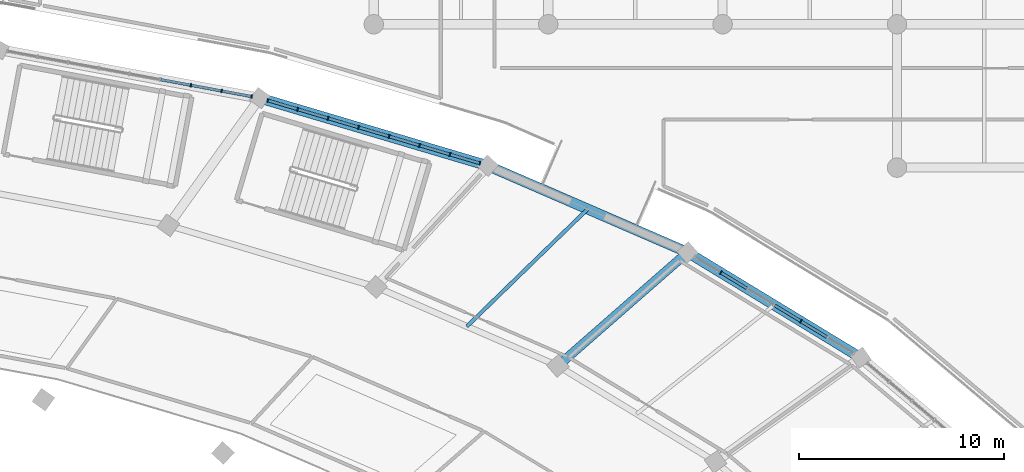
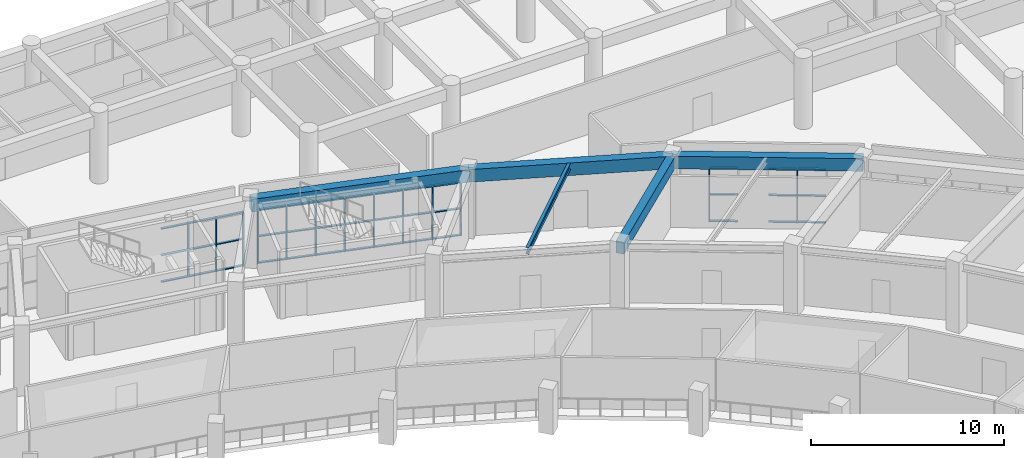
# One storey, part 64 of 141: 52 members, 5 beams, 3 elements without a shape of their own.
"""IFC4 building model written with IfcOpenShell, lengths in metres."""

from ifc_helpers import new_model, si_unit, direction, frame, origin, origin_2d, place, context, subcontext, project, spatial, rectangle, i_section, extrude, material, layer, layer_set, material_profile, profile_set, type_object, element, aggregate, save


model = new_model("IFC4")

# Units and contexts
model_context = context("Model", 3, precision=1e-05, world=origin(), true_north=direction((0.0, 1.0)))
body_context = subcontext(model_context, "Body", "Model", "MODEL_VIEW")
ifc_project = project(units=[si_unit("LENGTHUNIT", "METRE"), si_unit("AREAUNIT", "SQUARE_METRE"), si_unit("VOLUMEUNIT", "CUBIC_METRE"), si_unit("PLANEANGLEUNIT", "RADIAN"), si_unit("MASSUNIT", "GRAM", prefix="KILO")], contexts=[model_context])

# Site, building, storey
site_placement = place(None, origin())
site = spatial("IfcSite", under=ifc_project, at=site_placement, CompositionType="ELEMENT")
building_placement = place(site_placement, origin())
building = spatial("IfcBuilding", under=site, at=building_placement, Name="Mphavela Belvedere Stadium", CompositionType="ELEMENT")
storey_placement = place(building_placement, frame((0.0, 0.0, 14.699951171875)))
storey = spatial("IfcBuildingStorey", under=building, at=storey_placement, Name="L03", CompositionType="ELEMENT", Elevation=14.699951171875)

# Beams
ifc_material_1 = material(Name="Steel S355", Category="steel")
ifc_material_profile_1 = material_profile(ifc_material_1, i_section(OverallWidth=0.179931640625, OverallDepth=0.39990234375, WebThickness=0.008544921875, FlangeThickness=0.013427734375, at=origin_2d()), Name="IPE 400")
ifc_profile_set_1 = profile_set([ifc_material_profile_1], Name="Steel S355")
beam_type_1 = type_object("IfcBeamType", Name="BM-JOIST-IPE400", PredefinedType="JOIST", material=ifc_profile_set_1)
beam_1_placement = place(storey_placement, frame((174.918212890625, 145.242431640625, 4.050048828125), z_axis=(0.717067022089, 0.697004222249, 0.0), x_axis=(-0.697004222249, 0.717067022089, 0.0)))
element("IfcBeam", 1, at=beam_1_placement, inside=storey, type_object=beam_type_1, Name="Concourse floor joist L03-08", PredefinedType="JOIST", context=body_context, shape_type="SweptSolid", body=[
    extrude(i_section(OverallWidth=0.179931640625, OverallDepth=0.39990234375, WebThickness=0.008544921875, FlangeThickness=0.013427734375, at=origin_2d()), origin(), (0.0, 0.0, 1.0), 8.22607421875),
])
ifc_material_2 = material(Name="Concrete C40/50", Category="concrete")
ifc_material_profile_2 = material_profile(ifc_material_2, rectangle(XDim=0.449951171875, YDim=0.75, at=origin_2d()), Name="RC 450x750")
ifc_profile_set_2 = profile_set([ifc_material_profile_2], Name="Concrete C40/50")
beam_type_2 = type_object("IfcBeamType", Name="BM-RC450x750", PredefinedType="BEAM", material=ifc_profile_set_2)
beam_2_placement = place(storey_placement, frame((179.360107421875, 143.31689453125, 3.875), z_axis=(0.752589268993, 0.658490236978, 0.0), x_axis=(-0.658490236978, 0.752589268993, 0.0)))
element("IfcBeam", 2, at=beam_2_placement, inside=storey, type_object=beam_type_2, Name="Radial concourse girder L03 R3R4-08", PredefinedType="BEAM", context=body_context, shape_type="SweptSolid", body=[
    extrude(rectangle(XDim=0.449951171875, YDim=0.75, at=origin_2d()), origin(), (0.0, 0.0, 1.0), 8.419189453125),
])
ifc_material_3 = material(Name="Concrete C40/50", Category="concrete")
ifc_material_profile_3 = material_profile(ifc_material_3, rectangle(XDim=0.5, YDim=0.800048828125, at=origin_2d()), Name="RC 500x800")
ifc_profile_set_3 = profile_set([ifc_material_profile_3], Name="Concrete C40/50")
beam_type_3 = type_object("IfcBeamType", Name="BM-SPANDREL-800", PredefinedType="SPANDREL", material=ifc_profile_set_3)
beam_3_placement = place(storey_placement, frame((194.155517578125, 143.714599609375, 3.85009765625), z_axis=(-0.854326607994, 0.51973651678, 0.0), x_axis=(-0.51973651678, -0.854326607994, 0.0)))
element("IfcBeam", 3, at=beam_3_placement, inside=storey, type_object=beam_type_3, Name="Circumferential girder L03 R4-07", PredefinedType="SPANDREL", context=body_context, shape_type="SweptSolid", body=[
    extrude(rectangle(XDim=0.5, YDim=0.800048828125, at=origin_2d()), origin(), (0.0, 0.0, 1.0), 9.901611328125),
])
beam_4_placement = place(storey_placement, frame((185.6962890625, 148.86083984375, 3.85009765625), z_axis=(-0.91749867224, 0.397738842004, 0.0), x_axis=(-0.397738842004, -0.91749867224, 0.0)))
element("IfcBeam", 4, at=beam_4_placement, inside=storey, type_object=beam_type_3, Name="Circumferential girder L03 R4-08", PredefinedType="SPANDREL", context=body_context, shape_type="SweptSolid", body=[
    extrude(rectangle(XDim=0.5, YDim=0.800048828125, at=origin_2d()), origin(), (0.0, 0.0, 1.0), 10.63623046875),
])
beam_5_placement = place(storey_placement, frame((175.9375, 153.09130859375, 3.85009765625), z_axis=(-0.958656362639, 0.284566298727, 0.0), x_axis=(-0.284566298727, -0.958656362639, 0.0)))
element("IfcBeam", 5, at=beam_5_placement, inside=storey, type_object=beam_type_3, Name="Circumferential girder L03 R4-09", PredefinedType="SPANDREL", context=body_context, shape_type="SweptSolid", body=[
    extrude(rectangle(XDim=0.5, YDim=0.800048828125, at=origin_2d()), origin(), (0.0, 0.0, 1.0), 11.616455078125),
])

# Curtain wall, members
ifc_material_4 = material(Name="Anodised bronze unitised curtain wall framing")
ifc_layer_1 = layer(ifc_material_4, 0.205078125)
ifc_layer_set_1 = layer_set([ifc_layer_1], Name="Anodised bronze unitised curtain wall framing")
curtain_wall_type_1 = type_object("IfcCurtainWallType", Name="CW-UNIT-06", PredefinedType="USERDEFINED", material=ifc_layer_set_1)
curtain_wall_1_placement = place(storey_placement, origin())
curtain_wall_1 = element("IfcCurtainWall", 6, at=curtain_wall_1_placement, inside=storey, type_object=curtain_wall_type_1, Name="Belvedere colonnade curtain wall L03-07", ObjectType="UNITISED CURTAIN WALL", PredefinedType="USERDEFINED")
ifc_material_5 = material(Name="Anodised bronze extruded aluminium", Category="aluminium")
ifc_material_profile_4 = material_profile(ifc_material_5, rectangle(XDim=0.179931640625, YDim=0.06494140625, at=origin_2d()), Name="CW-MUL 180x65")
ifc_profile_set_4 = profile_set([ifc_material_profile_4], Name="Anodised bronze extruded aluminium")
member_type_1 = type_object("IfcMemberType", Name="CWM-180x65", PredefinedType="MULLION", material=ifc_profile_set_4)
member_1_placement = place(storey_placement, frame((191.2294921875, 145.49462890625, 0.0), z_axis=(0.0, 0.0, 1.0), x_axis=(-0.519738342169, -0.8543254975, 0.0)))
member_1 = element("IfcMember", 7, at=member_1_placement, type_object=member_type_1, Name="CW-06 mullion 3", PredefinedType="MULLION", context=body_context, shape_type="SweptSolid", body=[
    extrude(rectangle(XDim=0.179931640625, YDim=0.06494140625, at=origin_2d()), origin(), (0.0, 0.0, 1.0), 3.420166015625),
])
member_2_placement = place(storey_placement, frame((187.318603515625, 147.873779296875, 0.0), z_axis=(0.0, 0.0, 1.0), x_axis=(-0.519738342169, -0.8543254975, 0.0)))
member_2 = element("IfcMember", 8, at=member_2_placement, type_object=member_type_1, Name="CW-06 mullion 6", PredefinedType="MULLION", context=body_context, shape_type="SweptSolid", body=[
    extrude(rectangle(XDim=0.179931640625, YDim=0.06494140625, at=origin_2d()), origin(), (0.0, 0.0, 1.0), 3.420166015625),
])

ifc_material_6 = material(Name="Anodised bronze unitised curtain wall framing")
ifc_layer_2 = layer(ifc_material_6, 0.179931640625)
ifc_layer_set_2 = layer_set([ifc_layer_2], Name="Anodised bronze unitised curtain wall framing")
curtain_wall_type_2 = type_object("IfcCurtainWallType", Name="CW-UNIT-01", PredefinedType="USERDEFINED", material=ifc_layer_set_2)
curtain_wall_2_placement = place(storey_placement, origin())
curtain_wall_2 = element("IfcCurtainWall", 9, at=curtain_wall_2_placement, inside=storey, type_object=curtain_wall_type_2, Name="Belvedere colonnade curtain wall L03-09", ObjectType="UNITISED CURTAIN WALL", PredefinedType="USERDEFINED")
member_3_placement = place(storey_placement, frame((175.548828125, 153.20654296875, 0.0), z_axis=(0.0, 0.0, 1.0), x_axis=(-0.284565000591, -0.958656747975, 0.0)))
member_3 = element("IfcMember", 10, at=member_3_placement, type_object=member_type_1, Name="CW-01 mullion 1", PredefinedType="MULLION", context=body_context, shape_type="SweptSolid", body=[
    extrude(rectangle(XDim=0.179931640625, YDim=0.06494140625, at=origin_2d()), origin(), (0.0, 0.0, 1.0), 3.420166015625),
])
member_4_placement = place(storey_placement, frame((174.09130859375, 153.639404296875, 0.0), z_axis=(0.0, 0.0, 1.0), x_axis=(-0.284565000591, -0.958656747975, 0.0)))
member_4 = element("IfcMember", 11, at=member_4_placement, type_object=member_type_1, Name="CW-01 mullion 2", PredefinedType="MULLION", context=body_context, shape_type="SweptSolid", body=[
    extrude(rectangle(XDim=0.179931640625, YDim=0.06494140625, at=origin_2d()), origin(), (0.0, 0.0, 1.0), 3.420166015625),
])
member_5_placement = place(storey_placement, frame((172.6025390625, 154.081298828125, 0.0), z_axis=(0.0, 0.0, 1.0), x_axis=(-0.284565000591, -0.958656747975, 0.0)))
member_5 = element("IfcMember", 12, at=member_5_placement, type_object=member_type_1, Name="CW-01 mullion 3", PredefinedType="MULLION", context=body_context, shape_type="SweptSolid", body=[
    extrude(rectangle(XDim=0.179931640625, YDim=0.06494140625, at=origin_2d()), origin(), (0.0, 0.0, 1.0), 3.420166015625),
])
member_6_placement = place(storey_placement, frame((171.11376953125, 154.523193359375, 0.0), z_axis=(0.0, 0.0, 1.0), x_axis=(-0.284565000591, -0.958656747975, 0.0)))
member_6 = element("IfcMember", 13, at=member_6_placement, type_object=member_type_1, Name="CW-01 mullion 4", PredefinedType="MULLION", context=body_context, shape_type="SweptSolid", body=[
    extrude(rectangle(XDim=0.179931640625, YDim=0.06494140625, at=origin_2d()), origin(), (0.0, 0.0, 1.0), 3.420166015625),
])
member_7_placement = place(storey_placement, frame((169.625, 154.965087890625, 0.0), z_axis=(0.0, 0.0, 1.0), x_axis=(-0.284565000591, -0.958656747975, 0.0)))
member_7 = element("IfcMember", 14, at=member_7_placement, type_object=member_type_1, Name="CW-01 mullion 5", PredefinedType="MULLION", context=body_context, shape_type="SweptSolid", body=[
    extrude(rectangle(XDim=0.179931640625, YDim=0.06494140625, at=origin_2d()), origin(), (0.0, 0.0, 1.0), 3.420166015625),
])
member_8_placement = place(storey_placement, frame((168.13623046875, 155.406982421875, 0.0), z_axis=(0.0, 0.0, 1.0), x_axis=(-0.284565000591, -0.958656747975, 0.0)))
member_8 = element("IfcMember", 15, at=member_8_placement, type_object=member_type_1, Name="CW-01 mullion 6", PredefinedType="MULLION", context=body_context, shape_type="SweptSolid", body=[
    extrude(rectangle(XDim=0.179931640625, YDim=0.06494140625, at=origin_2d()), origin(), (0.0, 0.0, 1.0), 3.420166015625),
])
member_9_placement = place(storey_placement, frame((166.6474609375, 155.848876953125, 0.0), z_axis=(0.0, 0.0, 1.0), x_axis=(-0.284565000591, -0.958656747975, 0.0)))
member_9 = element("IfcMember", 16, at=member_9_placement, type_object=member_type_1, Name="CW-01 mullion 7", PredefinedType="MULLION", context=body_context, shape_type="SweptSolid", body=[
    extrude(rectangle(XDim=0.179931640625, YDim=0.06494140625, at=origin_2d()), origin(), (0.0, 0.0, 1.0), 3.420166015625),
])
member_10_placement = place(storey_placement, frame((165.18994140625, 156.281494140625, 0.0), z_axis=(0.0, 0.0, 1.0), x_axis=(-0.284565000591, -0.958656747975, 0.0)))
member_10 = element("IfcMember", 17, at=member_10_placement, type_object=member_type_1, Name="CW-01 mullion 8", PredefinedType="MULLION", context=body_context, shape_type="SweptSolid", body=[
    extrude(rectangle(XDim=0.179931640625, YDim=0.06494140625, at=origin_2d()), origin(), (0.0, 0.0, 1.0), 3.420166015625),
])

ifc_material_7 = material(Name="Anodised bronze unitised curtain wall framing")
ifc_layer_3 = layer(ifc_material_7, 0.18505859375)
ifc_layer_set_3 = layer_set([ifc_layer_3], Name="Anodised bronze unitised curtain wall framing")
curtain_wall_type_3 = type_object("IfcCurtainWallType", Name="CW-UNIT-02", PredefinedType="USERDEFINED", material=ifc_layer_set_3)
curtain_wall_3_placement = place(storey_placement, origin())
curtain_wall_3 = element("IfcCurtainWall", 18, at=curtain_wall_3_placement, inside=storey, type_object=curtain_wall_type_3, Name="Belvedere colonnade curtain wall L03-10", ObjectType="UNITISED CURTAIN WALL", PredefinedType="USERDEFINED")
member_11_placement = place(storey_placement, frame((164.402587890625, 156.47119140625, 0.0), z_axis=(0.0, 0.0, 1.0), x_axis=(-0.18308790129, -0.983096546836, 0.0)))
member_11 = element("IfcMember", 19, at=member_11_placement, type_object=member_type_1, Name="CW-02 mullion 1", PredefinedType="MULLION", context=body_context, shape_type="SweptSolid", body=[
    extrude(rectangle(XDim=0.179931640625, YDim=0.06494140625, at=origin_2d()), origin(), (0.0, 0.0, 1.0), 3.420166015625),
])
member_12_placement = place(storey_placement, frame((162.93505859375, 156.744384765625, 0.0), z_axis=(0.0, 0.0, 1.0), x_axis=(-0.18308790129, -0.983096546836, 0.0)))
member_12 = element("IfcMember", 20, at=member_12_placement, type_object=member_type_1, Name="CW-02 mullion 2", PredefinedType="MULLION", context=body_context, shape_type="SweptSolid", body=[
    extrude(rectangle(XDim=0.179931640625, YDim=0.06494140625, at=origin_2d()), origin(), (0.0, 0.0, 1.0), 3.420166015625),
])
member_13_placement = place(storey_placement, frame((161.435791015625, 157.023681640625, 0.0), z_axis=(0.0, 0.0, 1.0), x_axis=(-0.18308790129, -0.983096546836, 0.0)))
member_13 = element("IfcMember", 21, at=member_13_placement, type_object=member_type_1, Name="CW-02 mullion 3", PredefinedType="MULLION", context=body_context, shape_type="SweptSolid", body=[
    extrude(rectangle(XDim=0.179931640625, YDim=0.06494140625, at=origin_2d()), origin(), (0.0, 0.0, 1.0), 3.420166015625),
])

# Member
ifc_material_8 = material(Name="Anodised bronze extruded aluminium", Category="aluminium")
ifc_material_profile_5 = material_profile(ifc_material_8, rectangle(XDim=0.139892578125, YDim=0.06005859375, at=origin_2d()), Name="CW-TRN 140x60")
ifc_profile_set_5 = profile_set([ifc_material_profile_5], Name="Anodised bronze extruded aluminium")
member_type_2 = type_object("IfcMemberType", Name="CWT-140x60", PredefinedType="USERDEFINED", material=ifc_profile_set_5)
member_14_placement = place(storey_placement, frame((192.50537109375, 144.718505859375, 0.030029296875), z_axis=(-0.854321163894, 0.519745465515, 0.0), x_axis=(-0.519745465515, -0.854321163894, 0.0)))
member_14 = element("IfcMember", 22, at=member_14_placement, type_object=member_type_2, Name="CW-06 transom 2.1", ObjectType="TRANSOM", PredefinedType="USERDEFINED", context=body_context, shape_type="SweptSolid", body=[
    extrude(rectangle(XDim=0.139892578125, YDim=0.06005859375, at=origin_2d()), origin(), (0.0, 0.0, 1.0), 1.4609375),
])

member_15_placement = place(storey_placement, frame((192.50537109375, 144.718505859375, 1.7099609375), z_axis=(-0.854321163894, 0.519745465515, 0.0), x_axis=(-0.519745465515, -0.854321163894, 0.0)))
member_15 = element("IfcMember", 23, at=member_15_placement, type_object=member_type_2, Name="CW-06 transom 2.2", ObjectType="TRANSOM", PredefinedType="USERDEFINED", context=body_context, shape_type="SweptSolid", body=[
    extrude(rectangle(XDim=0.139892578125, YDim=0.06005859375, at=origin_2d()), origin(), (0.0, 0.0, 1.0), 1.4609375),
])

member_16_placement = place(storey_placement, frame((192.50537109375, 144.718505859375, 3.39013671875), z_axis=(-0.854321163894, 0.519745465515, 0.0), x_axis=(-0.519745465515, -0.854321163894, 0.0)))
member_16 = element("IfcMember", 24, at=member_16_placement, type_object=member_type_2, Name="CW-06 transom 2.3", ObjectType="TRANSOM", PredefinedType="USERDEFINED", context=body_context, shape_type="SweptSolid", body=[
    extrude(rectangle(XDim=0.139892578125, YDim=0.06005859375, at=origin_2d()), origin(), (0.0, 0.0, 1.0), 1.4609375),
])

member_17_placement = place(storey_placement, frame((191.201904296875, 145.511474609375, 0.030029296875), z_axis=(-0.854366299444, 0.519671267606, 0.0), x_axis=(-0.519671267606, -0.854366299444, 0.0)))
member_17 = element("IfcMember", 25, at=member_17_placement, type_object=member_type_2, Name="CW-06 transom 3.1", ObjectType="TRANSOM", PredefinedType="USERDEFINED", context=body_context, shape_type="SweptSolid", body=[
    extrude(rectangle(XDim=0.139892578125, YDim=0.06005859375, at=origin_2d()), origin(), (0.0, 0.0, 1.0), 1.461181640625),
])

member_18_placement = place(storey_placement, frame((191.201904296875, 145.511474609375, 1.7099609375), z_axis=(-0.854366299444, 0.519671267606, 0.0), x_axis=(-0.519671267606, -0.854366299444, 0.0)))
member_18 = element("IfcMember", 26, at=member_18_placement, type_object=member_type_2, Name="CW-06 transom 3.2", ObjectType="TRANSOM", PredefinedType="USERDEFINED", context=body_context, shape_type="SweptSolid", body=[
    extrude(rectangle(XDim=0.139892578125, YDim=0.06005859375, at=origin_2d()), origin(), (0.0, 0.0, 1.0), 1.461181640625),
])

member_19_placement = place(storey_placement, frame((191.201904296875, 145.511474609375, 3.39013671875), z_axis=(-0.854366299444, 0.519671267606, 0.0), x_axis=(-0.519671267606, -0.854366299444, 0.0)))
member_19 = element("IfcMember", 27, at=member_19_placement, type_object=member_type_2, Name="CW-06 transom 3.3", ObjectType="TRANSOM", PredefinedType="USERDEFINED", context=body_context, shape_type="SweptSolid", body=[
    extrude(rectangle(XDim=0.139892578125, YDim=0.06005859375, at=origin_2d()), origin(), (0.0, 0.0, 1.0), 1.461181640625),
])

member_20_placement = place(storey_placement, frame((188.594482421875, 147.09765625, 0.030029296875), z_axis=(-0.854321163894, 0.519745465515, 0.0), x_axis=(-0.519745465515, -0.854321163894, 0.0)))
member_20 = element("IfcMember", 28, at=member_20_placement, type_object=member_type_2, Name="CW-06 transom 5.1", ObjectType="TRANSOM", PredefinedType="USERDEFINED", context=body_context, shape_type="SweptSolid", body=[
    extrude(rectangle(XDim=0.139892578125, YDim=0.06005859375, at=origin_2d()), origin(), (0.0, 0.0, 1.0), 1.4609375),
])

member_21_placement = place(storey_placement, frame((188.594482421875, 147.09765625, 1.7099609375), z_axis=(-0.854321163894, 0.519745465515, 0.0), x_axis=(-0.519745465515, -0.854321163894, 0.0)))
member_21 = element("IfcMember", 29, at=member_21_placement, type_object=member_type_2, Name="CW-06 transom 5.2", ObjectType="TRANSOM", PredefinedType="USERDEFINED", context=body_context, shape_type="SweptSolid", body=[
    extrude(rectangle(XDim=0.139892578125, YDim=0.06005859375, at=origin_2d()), origin(), (0.0, 0.0, 1.0), 1.4609375),
])

member_22_placement = place(storey_placement, frame((188.594482421875, 147.09765625, 3.39013671875), z_axis=(-0.854321163894, 0.519745465515, 0.0), x_axis=(-0.519745465515, -0.854321163894, 0.0)))
member_22 = element("IfcMember", 30, at=member_22_placement, type_object=member_type_2, Name="CW-06 transom 5.3", ObjectType="TRANSOM", PredefinedType="USERDEFINED", context=body_context, shape_type="SweptSolid", body=[
    extrude(rectangle(XDim=0.139892578125, YDim=0.06005859375, at=origin_2d()), origin(), (0.0, 0.0, 1.0), 1.4609375),
])

aggregate(curtain_wall_1, [member_1, member_2, member_14, member_15, member_16, member_17, member_18, member_19, member_20, member_21, member_22])

member_23_placement = place(storey_placement, frame((175.517578125, 153.2158203125, 0.030029296875), z_axis=(-0.958630418167, 0.284653686724, 0.0), x_axis=(-0.284653686724, -0.958630418167, 0.0)))
member_23 = element("IfcMember", 31, at=member_23_placement, type_object=member_type_2, Name="CW-01 transom 1.1", ObjectType="TRANSOM", PredefinedType="USERDEFINED", context=body_context, shape_type="SweptSolid", body=[
    extrude(rectangle(XDim=0.139892578125, YDim=0.06005859375, at=origin_2d()), origin(), (0.0, 0.0, 1.0), 1.45556640625),
])

member_24_placement = place(storey_placement, frame((175.517578125, 153.2158203125, 1.7099609375), z_axis=(-0.958630418167, 0.284653686724, 0.0), x_axis=(-0.284653686724, -0.958630418167, 0.0)))
member_24 = element("IfcMember", 32, at=member_24_placement, type_object=member_type_2, Name="CW-01 transom 1.2", ObjectType="TRANSOM", PredefinedType="USERDEFINED", context=body_context, shape_type="SweptSolid", body=[
    extrude(rectangle(XDim=0.139892578125, YDim=0.06005859375, at=origin_2d()), origin(), (0.0, 0.0, 1.0), 1.45556640625),
])

member_25_placement = place(storey_placement, frame((175.517578125, 153.2158203125, 3.39013671875), z_axis=(-0.958630418167, 0.284653686724, 0.0), x_axis=(-0.284653686724, -0.958630418167, 0.0)))
member_25 = element("IfcMember", 33, at=member_25_placement, type_object=member_type_2, Name="CW-01 transom 1.3", ObjectType="TRANSOM", PredefinedType="USERDEFINED", context=body_context, shape_type="SweptSolid", body=[
    extrude(rectangle(XDim=0.139892578125, YDim=0.06005859375, at=origin_2d()), origin(), (0.0, 0.0, 1.0), 1.45556640625),
])

member_26_placement = place(storey_placement, frame((174.06005859375, 153.648681640625, 0.030029296875), z_axis=(-0.958662254845, 0.284546448117, 0.0), x_axis=(-0.284546448117, -0.958662254845, 0.0)))
member_26 = element("IfcMember", 34, at=member_26_placement, type_object=member_type_2, Name="CW-01 transom 2.1", ObjectType="TRANSOM", PredefinedType="USERDEFINED", context=body_context, shape_type="SweptSolid", body=[
    extrude(rectangle(XDim=0.139892578125, YDim=0.06005859375, at=origin_2d()), origin(), (0.0, 0.0, 1.0), 1.48779296875),
])

member_27_placement = place(storey_placement, frame((174.06005859375, 153.648681640625, 1.7099609375), z_axis=(-0.958662254845, 0.284546448117, 0.0), x_axis=(-0.284546448117, -0.958662254845, 0.0)))
member_27 = element("IfcMember", 35, at=member_27_placement, type_object=member_type_2, Name="CW-01 transom 2.2", ObjectType="TRANSOM", PredefinedType="USERDEFINED", context=body_context, shape_type="SweptSolid", body=[
    extrude(rectangle(XDim=0.139892578125, YDim=0.06005859375, at=origin_2d()), origin(), (0.0, 0.0, 1.0), 1.48779296875),
])

member_28_placement = place(storey_placement, frame((174.06005859375, 153.648681640625, 3.39013671875), z_axis=(-0.958662254845, 0.284546448117, 0.0), x_axis=(-0.284546448117, -0.958662254845, 0.0)))
member_28 = element("IfcMember", 36, at=member_28_placement, type_object=member_type_2, Name="CW-01 transom 2.3", ObjectType="TRANSOM", PredefinedType="USERDEFINED", context=body_context, shape_type="SweptSolid", body=[
    extrude(rectangle(XDim=0.139892578125, YDim=0.06005859375, at=origin_2d()), origin(), (0.0, 0.0, 1.0), 1.48779296875),
])

member_29_placement = place(storey_placement, frame((172.5712890625, 154.090576171875, 0.030029296875), z_axis=(-0.958662254845, 0.284546448117, 0.0), x_axis=(-0.284546448117, -0.958662254845, 0.0)))
member_29 = element("IfcMember", 37, at=member_29_placement, type_object=member_type_2, Name="CW-01 transom 3.1", ObjectType="TRANSOM", PredefinedType="USERDEFINED", context=body_context, shape_type="SweptSolid", body=[
    extrude(rectangle(XDim=0.139892578125, YDim=0.06005859375, at=origin_2d()), origin(), (0.0, 0.0, 1.0), 1.48779296875),
])

member_30_placement = place(storey_placement, frame((172.5712890625, 154.090576171875, 1.7099609375), z_axis=(-0.958662254845, 0.284546448117, 0.0), x_axis=(-0.284546448117, -0.958662254845, 0.0)))
member_30 = element("IfcMember", 38, at=member_30_placement, type_object=member_type_2, Name="CW-01 transom 3.2", ObjectType="TRANSOM", PredefinedType="USERDEFINED", context=body_context, shape_type="SweptSolid", body=[
    extrude(rectangle(XDim=0.139892578125, YDim=0.06005859375, at=origin_2d()), origin(), (0.0, 0.0, 1.0), 1.48779296875),
])

member_31_placement = place(storey_placement, frame((172.5712890625, 154.090576171875, 3.39013671875), z_axis=(-0.958662254845, 0.284546448117, 0.0), x_axis=(-0.284546448117, -0.958662254845, 0.0)))
member_31 = element("IfcMember", 39, at=member_31_placement, type_object=member_type_2, Name="CW-01 transom 3.3", ObjectType="TRANSOM", PredefinedType="USERDEFINED", context=body_context, shape_type="SweptSolid", body=[
    extrude(rectangle(XDim=0.139892578125, YDim=0.06005859375, at=origin_2d()), origin(), (0.0, 0.0, 1.0), 1.48779296875),
])

member_32_placement = place(storey_placement, frame((171.08251953125, 154.532470703125, 0.030029296875), z_axis=(-0.958662254845, 0.284546448117, 0.0), x_axis=(-0.284546448117, -0.958662254845, 0.0)))
member_32 = element("IfcMember", 40, at=member_32_placement, type_object=member_type_2, Name="CW-01 transom 4.1", ObjectType="TRANSOM", PredefinedType="USERDEFINED", context=body_context, shape_type="SweptSolid", body=[
    extrude(rectangle(XDim=0.139892578125, YDim=0.06005859375, at=origin_2d()), origin(), (0.0, 0.0, 1.0), 1.48779296875),
])

member_33_placement = place(storey_placement, frame((171.08251953125, 154.532470703125, 1.7099609375), z_axis=(-0.958662254845, 0.284546448117, 0.0), x_axis=(-0.284546448117, -0.958662254845, 0.0)))
member_33 = element("IfcMember", 41, at=member_33_placement, type_object=member_type_2, Name="CW-01 transom 4.2", ObjectType="TRANSOM", PredefinedType="USERDEFINED", context=body_context, shape_type="SweptSolid", body=[
    extrude(rectangle(XDim=0.139892578125, YDim=0.06005859375, at=origin_2d()), origin(), (0.0, 0.0, 1.0), 1.48779296875),
])

member_34_placement = place(storey_placement, frame((171.08251953125, 154.532470703125, 3.39013671875), z_axis=(-0.958662254845, 0.284546448117, 0.0), x_axis=(-0.284546448117, -0.958662254845, 0.0)))
member_34 = element("IfcMember", 42, at=member_34_placement, type_object=member_type_2, Name="CW-01 transom 4.3", ObjectType="TRANSOM", PredefinedType="USERDEFINED", context=body_context, shape_type="SweptSolid", body=[
    extrude(rectangle(XDim=0.139892578125, YDim=0.06005859375, at=origin_2d()), origin(), (0.0, 0.0, 1.0), 1.48779296875),
])

member_35_placement = place(storey_placement, frame((169.593994140625, 154.974365234375, 0.030029296875), z_axis=(-0.958675538205, 0.284501691468, 0.0), x_axis=(-0.284501691468, -0.958675538205, 0.0)))
member_35 = element("IfcMember", 43, at=member_35_placement, type_object=member_type_2, Name="CW-01 transom 5.1", ObjectType="TRANSOM", PredefinedType="USERDEFINED", context=body_context, shape_type="SweptSolid", body=[
    extrude(rectangle(XDim=0.139892578125, YDim=0.06005859375, at=origin_2d()), origin(), (0.0, 0.0, 1.0), 1.488037109375),
])

member_36_placement = place(storey_placement, frame((169.593994140625, 154.974365234375, 1.7099609375), z_axis=(-0.958675538205, 0.284501691468, 0.0), x_axis=(-0.284501691468, -0.958675538205, 0.0)))
member_36 = element("IfcMember", 44, at=member_36_placement, type_object=member_type_2, Name="CW-01 transom 5.2", ObjectType="TRANSOM", PredefinedType="USERDEFINED", context=body_context, shape_type="SweptSolid", body=[
    extrude(rectangle(XDim=0.139892578125, YDim=0.06005859375, at=origin_2d()), origin(), (0.0, 0.0, 1.0), 1.488037109375),
])

member_37_placement = place(storey_placement, frame((169.593994140625, 154.974365234375, 3.39013671875), z_axis=(-0.958675538205, 0.284501691468, 0.0), x_axis=(-0.284501691468, -0.958675538205, 0.0)))
member_37 = element("IfcMember", 45, at=member_37_placement, type_object=member_type_2, Name="CW-01 transom 5.3", ObjectType="TRANSOM", PredefinedType="USERDEFINED", context=body_context, shape_type="SweptSolid", body=[
    extrude(rectangle(XDim=0.139892578125, YDim=0.06005859375, at=origin_2d()), origin(), (0.0, 0.0, 1.0), 1.488037109375),
])

member_38_placement = place(storey_placement, frame((168.105224609375, 155.416259765625, 0.030029296875), z_axis=(-0.958675538205, 0.284501691468, 0.0), x_axis=(-0.284501691468, -0.958675538205, 0.0)))
member_38 = element("IfcMember", 46, at=member_38_placement, type_object=member_type_2, Name="CW-01 transom 6.1", ObjectType="TRANSOM", PredefinedType="USERDEFINED", context=body_context, shape_type="SweptSolid", body=[
    extrude(rectangle(XDim=0.139892578125, YDim=0.06005859375, at=origin_2d()), origin(), (0.0, 0.0, 1.0), 1.488037109375),
])

member_39_placement = place(storey_placement, frame((168.105224609375, 155.416259765625, 1.7099609375), z_axis=(-0.958675538205, 0.284501691468, 0.0), x_axis=(-0.284501691468, -0.958675538205, 0.0)))
member_39 = element("IfcMember", 47, at=member_39_placement, type_object=member_type_2, Name="CW-01 transom 6.2", ObjectType="TRANSOM", PredefinedType="USERDEFINED", context=body_context, shape_type="SweptSolid", body=[
    extrude(rectangle(XDim=0.139892578125, YDim=0.06005859375, at=origin_2d()), origin(), (0.0, 0.0, 1.0), 1.488037109375),
])

member_40_placement = place(storey_placement, frame((168.105224609375, 155.416259765625, 3.39013671875), z_axis=(-0.958675538205, 0.284501691468, 0.0), x_axis=(-0.284501691468, -0.958675538205, 0.0)))
member_40 = element("IfcMember", 48, at=member_40_placement, type_object=member_type_2, Name="CW-01 transom 6.3", ObjectType="TRANSOM", PredefinedType="USERDEFINED", context=body_context, shape_type="SweptSolid", body=[
    extrude(rectangle(XDim=0.139892578125, YDim=0.06005859375, at=origin_2d()), origin(), (0.0, 0.0, 1.0), 1.488037109375),
])

member_41_placement = place(storey_placement, frame((166.616455078125, 155.858154296875, 0.030029296875), z_axis=(-0.958676180284, 0.284499527867, 0.0), x_axis=(-0.284499527867, -0.958676180284, 0.0)))
member_41 = element("IfcMember", 49, at=member_41_placement, type_object=member_type_2, Name="CW-01 transom 7.1", ObjectType="TRANSOM", PredefinedType="USERDEFINED", context=body_context, shape_type="SweptSolid", body=[
    extrude(rectangle(XDim=0.139892578125, YDim=0.06005859375, at=origin_2d()), origin(), (0.0, 0.0, 1.0), 1.455322265625),
])

member_42_placement = place(storey_placement, frame((166.616455078125, 155.858154296875, 1.7099609375), z_axis=(-0.958676180284, 0.284499527867, 0.0), x_axis=(-0.284499527867, -0.958676180284, 0.0)))
member_42 = element("IfcMember", 50, at=member_42_placement, type_object=member_type_2, Name="CW-01 transom 7.2", ObjectType="TRANSOM", PredefinedType="USERDEFINED", context=body_context, shape_type="SweptSolid", body=[
    extrude(rectangle(XDim=0.139892578125, YDim=0.06005859375, at=origin_2d()), origin(), (0.0, 0.0, 1.0), 1.455322265625),
])

member_43_placement = place(storey_placement, frame((166.616455078125, 155.858154296875, 3.39013671875), z_axis=(-0.958676180284, 0.284499527867, 0.0), x_axis=(-0.284499527867, -0.958676180284, 0.0)))
member_43 = element("IfcMember", 51, at=member_43_placement, type_object=member_type_2, Name="CW-01 transom 7.3", ObjectType="TRANSOM", PredefinedType="USERDEFINED", context=body_context, shape_type="SweptSolid", body=[
    extrude(rectangle(XDim=0.139892578125, YDim=0.06005859375, at=origin_2d()), origin(), (0.0, 0.0, 1.0), 1.455322265625),
])

aggregate(curtain_wall_2, [member_3, member_4, member_5, member_6, member_7, member_8, member_9, member_10, member_23, member_24, member_25, member_26, member_27, member_28, member_29, member_30, member_31, member_32, member_33, member_34, member_35, member_36, member_37, member_38, member_39, member_40, member_41, member_42, member_43])

member_44_placement = place(storey_placement, frame((164.37060546875, 156.47705078125, 0.030029296875), z_axis=(-0.983086399659, 0.183142378507, 0.0), x_axis=(-0.183142378507, -0.983086399659, 0.0)))
member_44 = element("IfcMember", 52, at=member_44_placement, type_object=member_type_2, Name="CW-02 transom 1.1", ObjectType="TRANSOM", PredefinedType="USERDEFINED", context=body_context, shape_type="SweptSolid", body=[
    extrude(rectangle(XDim=0.139892578125, YDim=0.06005859375, at=origin_2d()), origin(), (0.0, 0.0, 1.0), 1.427734375),
])

member_45_placement = place(storey_placement, frame((164.37060546875, 156.47705078125, 1.7099609375), z_axis=(-0.983086399659, 0.183142378507, 0.0), x_axis=(-0.183142378507, -0.983086399659, 0.0)))
member_45 = element("IfcMember", 53, at=member_45_placement, type_object=member_type_2, Name="CW-02 transom 1.2", ObjectType="TRANSOM", PredefinedType="USERDEFINED", context=body_context, shape_type="SweptSolid", body=[
    extrude(rectangle(XDim=0.139892578125, YDim=0.06005859375, at=origin_2d()), origin(), (0.0, 0.0, 1.0), 1.427734375),
])

member_46_placement = place(storey_placement, frame((164.37060546875, 156.47705078125, 3.39013671875), z_axis=(-0.983086399659, 0.183142378507, 0.0), x_axis=(-0.183142378507, -0.983086399659, 0.0)))
member_46 = element("IfcMember", 54, at=member_46_placement, type_object=member_type_2, Name="CW-02 transom 1.3", ObjectType="TRANSOM", PredefinedType="USERDEFINED", context=body_context, shape_type="SweptSolid", body=[
    extrude(rectangle(XDim=0.139892578125, YDim=0.06005859375, at=origin_2d()), origin(), (0.0, 0.0, 1.0), 1.427734375),
])

member_47_placement = place(storey_placement, frame((162.903076171875, 156.75048828125, 0.030029296875), z_axis=(-0.983092966177, 0.183107126716, 0.0), x_axis=(-0.183107126716, -0.983092966177, 0.0)))
member_47 = element("IfcMember", 55, at=member_47_placement, type_object=member_type_2, Name="CW-02 transom 2.1", ObjectType="TRANSOM", PredefinedType="USERDEFINED", context=body_context, shape_type="SweptSolid", body=[
    extrude(rectangle(XDim=0.139892578125, YDim=0.06005859375, at=origin_2d()), origin(), (0.0, 0.0, 1.0), 1.4599609375),
])

member_48_placement = place(storey_placement, frame((162.903076171875, 156.75048828125, 1.7099609375), z_axis=(-0.983092966177, 0.183107126716, 0.0), x_axis=(-0.183107126716, -0.983092966177, 0.0)))
member_48 = element("IfcMember", 56, at=member_48_placement, type_object=member_type_2, Name="CW-02 transom 2.2", ObjectType="TRANSOM", PredefinedType="USERDEFINED", context=body_context, shape_type="SweptSolid", body=[
    extrude(rectangle(XDim=0.139892578125, YDim=0.06005859375, at=origin_2d()), origin(), (0.0, 0.0, 1.0), 1.4599609375),
])

member_49_placement = place(storey_placement, frame((162.903076171875, 156.75048828125, 3.39013671875), z_axis=(-0.983092966177, 0.183107126716, 0.0), x_axis=(-0.183107126716, -0.983092966177, 0.0)))
member_49 = element("IfcMember", 57, at=member_49_placement, type_object=member_type_2, Name="CW-02 transom 2.3", ObjectType="TRANSOM", PredefinedType="USERDEFINED", context=body_context, shape_type="SweptSolid", body=[
    extrude(rectangle(XDim=0.139892578125, YDim=0.06005859375, at=origin_2d()), origin(), (0.0, 0.0, 1.0), 1.4599609375),
])

member_50_placement = place(storey_placement, frame((161.40380859375, 157.029541015625, 0.030029296875), z_axis=(-0.983098571421, 0.183077029882, 0.0), x_axis=(-0.183077029882, -0.983098571421, 0.0)))
member_50 = element("IfcMember", 58, at=member_50_placement, type_object=member_type_2, Name="CW-02 transom 3.1", ObjectType="TRANSOM", PredefinedType="USERDEFINED", context=body_context, shape_type="SweptSolid", body=[
    extrude(rectangle(XDim=0.139892578125, YDim=0.06005859375, at=origin_2d()), origin(), (0.0, 0.0, 1.0), 1.460205078125),
])

member_51_placement = place(storey_placement, frame((161.40380859375, 157.029541015625, 1.7099609375), z_axis=(-0.983098571421, 0.183077029882, 0.0), x_axis=(-0.183077029882, -0.983098571421, 0.0)))
member_51 = element("IfcMember", 59, at=member_51_placement, type_object=member_type_2, Name="CW-02 transom 3.2", ObjectType="TRANSOM", PredefinedType="USERDEFINED", context=body_context, shape_type="SweptSolid", body=[
    extrude(rectangle(XDim=0.139892578125, YDim=0.06005859375, at=origin_2d()), origin(), (0.0, 0.0, 1.0), 1.460205078125),
])

member_52_placement = place(storey_placement, frame((161.40380859375, 157.029541015625, 3.39013671875), z_axis=(-0.983098571421, 0.183077029882, 0.0), x_axis=(-0.183077029882, -0.983098571421, 0.0)))
member_52 = element("IfcMember", 60, at=member_52_placement, type_object=member_type_2, Name="CW-02 transom 3.3", ObjectType="TRANSOM", PredefinedType="USERDEFINED", context=body_context, shape_type="SweptSolid", body=[
    extrude(rectangle(XDim=0.139892578125, YDim=0.06005859375, at=origin_2d()), origin(), (0.0, 0.0, 1.0), 1.460205078125),
])

aggregate(curtain_wall_3, [member_11, member_12, member_13, member_44, member_45, member_46, member_47, member_48, member_49, member_50, member_51, member_52])

save(model, "model.ifc")
